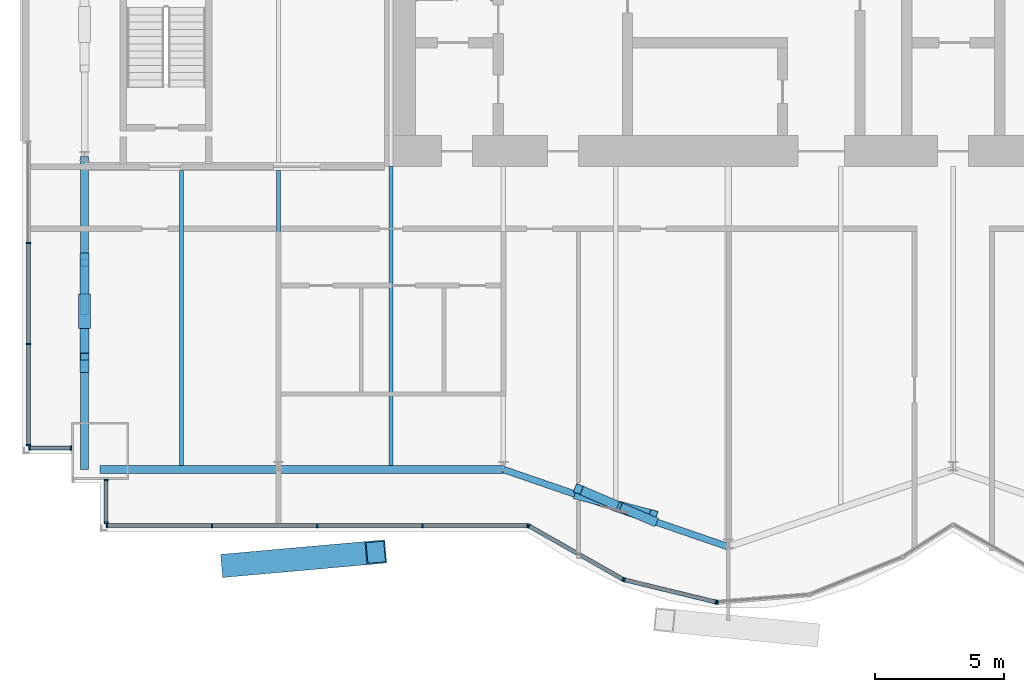
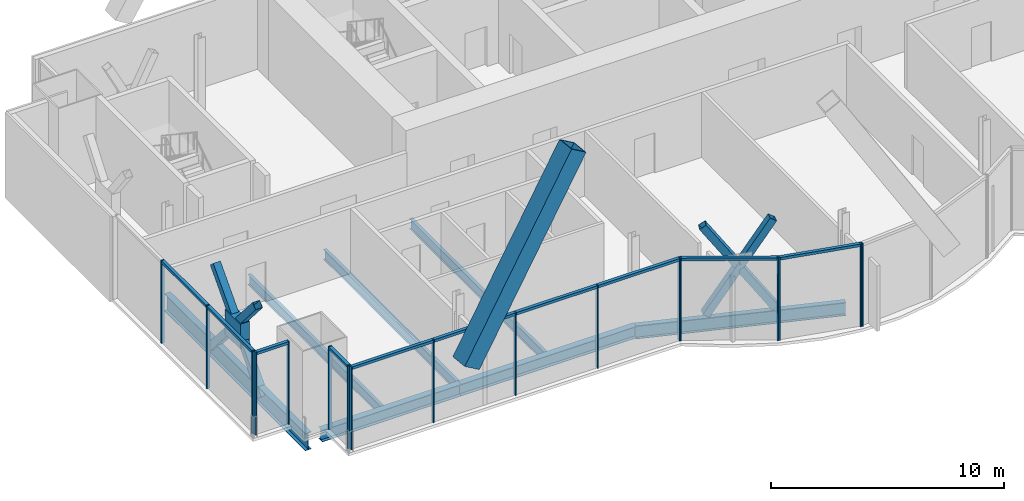
# One storey, part 5 of 19: 36 members, 7 beams, 5 elements without a shape of their own.
"""IFC4 building model written with IfcOpenShell, lengths in metres."""

from ifc_helpers import new_model, si_unit, direction, frame, origin, origin_2d, place, context, subcontext, project, spatial, rectangle, hollow_rectangle, i_section, extrude, material, material_profile, profile_set, type_object, element, aggregate, save


model = new_model("IFC4")

# Units and contexts
model_context = context("Model", 3, precision=1e-05, world=origin(), true_north=direction((0.0, 1.0)))
body_context = subcontext(model_context, "Body", "Model", "MODEL_VIEW")
ifc_project = project(units=[si_unit("LENGTHUNIT", "METRE"), si_unit("AREAUNIT", "SQUARE_METRE"), si_unit("VOLUMEUNIT", "CUBIC_METRE"), si_unit("PLANEANGLEUNIT", "RADIAN"), si_unit("MASSUNIT", "GRAM", prefix="KILO")], contexts=[model_context])

# Site, building, storey
site_placement = place(None, origin())
site = spatial("IfcSite", under=ifc_project, at=site_placement, CompositionType="ELEMENT")
building_placement = place(site_placement, origin())
building = spatial("IfcBuilding", under=site, at=building_placement, Name="Bicima Exchange Tower", CompositionType="ELEMENT")
storey_placement = place(building_placement, frame((0.0, 0.0, 297.5)))
storey = spatial("IfcBuildingStorey", under=building, at=storey_placement, Name="L67", CompositionType="ELEMENT", Elevation=297.5)

# Member
ifc_material_1 = material(Name="Steel ASTM A572 Gr 50", Category="steel")
ifc_material_profile_1 = material_profile(ifc_material_1, rectangle(XDim=0.45556640625, YDim=1.32666015625, at=origin_2d()))
ifc_profile_set_1 = profile_set([ifc_material_profile_1], Name="Steel ASTM A572 Gr 50")
member_type_1 = type_object("IfcMemberType", Name="Brace crossing node 456 x 1327", PredefinedType="POST", material=ifc_profile_set_1)
member_1_placement = place(storey_placement, frame((-33.60009765625, -18.596923828125, 0.99072265625), z_axis=(0.0, 0.0, 1.0), x_axis=(1.0, 0.0, 0.0)))
element("IfcMember", 1, at=member_1_placement, inside=storey, type_object=member_type_1, Name="Brace crossing node block", PredefinedType="POST", context=body_context, shape_type="SweptSolid", body=[
    extrude(rectangle(XDim=0.45556640625, YDim=1.32666015625, at=origin_2d()), origin(), (0.0, 0.0, 1.0), 1.306640625),
])

# Curtain wall, members
ifc_material_2 = material(Name="Anodised bronze aluminium", Category="aluminium")
curtain_wall_type_1 = type_object("IfcCurtainWallType", Name="End face glass wall", PredefinedType="NOTDEFINED", material=ifc_material_2)
curtain_wall_1_placement = place(storey_placement, origin())
curtain_wall_1 = element("IfcCurtainWall", 2, at=curtain_wall_1_placement, inside=storey, type_object=curtain_wall_type_1, Name="End face glass wall L67 run 2", PredefinedType="NOTDEFINED")
ifc_material_profile_2 = material_profile(ifc_material_2, rectangle(XDim=0.159912109375, YDim=0.06005859375, at=origin_2d()))
ifc_profile_set_2 = profile_set([ifc_material_profile_2], Name="Anodised bronze aluminium")
member_type_2 = type_object("IfcMemberType", Name="End face glass wall mullion 60 x 160", PredefinedType="MULLION", material=ifc_profile_set_2)
member_2_placement = place(storey_placement, frame((-35.77001953125, -15.9453125, 0.0), z_axis=(0.0, 0.0, 1.0), x_axis=(1.0, 0.0, 0.0)))
member_2 = element("IfcMember", 3, at=member_2_placement, type_object=member_type_2, Name="End face glass wall mullion 2", PredefinedType="MULLION", context=body_context, shape_type="SweptSolid", body=[
    extrude(rectangle(XDim=0.159912109375, YDim=0.06005859375, at=origin_2d()), origin(), (0.0, 0.0, 1.0), 4.35009765625),
])
member_3_placement = place(storey_placement, frame((-35.77001953125, -19.860595703125, 0.0), z_axis=(0.0, 0.0, 1.0), x_axis=(1.0, 0.0, 0.0)))
member_3 = element("IfcMember", 4, at=member_3_placement, type_object=member_type_2, Name="End face glass wall mullion 3", PredefinedType="MULLION", context=body_context, shape_type="SweptSolid", body=[
    extrude(rectangle(XDim=0.159912109375, YDim=0.06005859375, at=origin_2d()), origin(), (0.0, 0.0, 1.0), 4.35009765625),
])
member_4_placement = place(storey_placement, frame((-35.77001953125, -23.77587890625, 0.0), z_axis=(0.0, 0.0, 1.0), x_axis=(1.0, 0.0, 0.0)))
member_4 = element("IfcMember", 5, at=member_4_placement, type_object=member_type_2, Name="End face glass wall mullion 4", PredefinedType="MULLION", context=body_context, shape_type="SweptSolid", body=[
    extrude(rectangle(XDim=0.159912109375, YDim=0.06005859375, at=origin_2d()), origin(), (0.0, 0.0, 1.0), 4.35009765625),
])
ifc_material_profile_3 = material_profile(ifc_material_2, rectangle(XDim=0.159912109375, YDim=0.139892578125, at=origin_2d()))
ifc_profile_set_3 = profile_set([ifc_material_profile_3], Name="Anodised bronze aluminium")
member_type_3 = type_object("IfcMemberType", Name="End face glass wall transom 140 x 160", PredefinedType="USERDEFINED", material=ifc_profile_set_3)
member_5_placement = place(storey_placement, frame((-35.77001953125, -15.975341796875, 4.280029296875), z_axis=(0.0, -1.0, 0.0), x_axis=(1.0, 0.0, 0.0)))
member_5 = element("IfcMember", 6, at=member_5_placement, type_object=member_type_3, Name="End face glass wall transom 2.1", ObjectType="TRANSOM", PredefinedType="USERDEFINED", context=body_context, shape_type="SweptSolid", body=[
    extrude(rectangle(XDim=0.159912109375, YDim=0.139892578125, at=origin_2d()), origin(), (0.0, 0.0, 1.0), 3.85546875),
])
member_6_placement = place(storey_placement, frame((-35.77001953125, -19.890625, 4.280029296875), z_axis=(0.0, -1.0, 0.0), x_axis=(1.0, 0.0, 0.0)))
member_6 = element("IfcMember", 7, at=member_6_placement, type_object=member_type_3, Name="End face glass wall transom 3.1", ObjectType="TRANSOM", PredefinedType="USERDEFINED", context=body_context, shape_type="SweptSolid", body=[
    extrude(rectangle(XDim=0.159912109375, YDim=0.139892578125, at=origin_2d()), origin(), (0.0, 0.0, 1.0), 3.85546875),
])
aggregate(curtain_wall_1, [member_2, member_3, member_4, member_5, member_6])

# Beam
ifc_material_3 = material(Name="Steel ASTM A992 Gr 50", Category="steel")
ifc_material_profile_4 = material_profile(ifc_material_3, i_section(OverallWidth=0.3046875, OverallDepth=0.911865234375, WebThickness=0.015869140625, FlangeThickness=0.02392578125, at=origin_2d()))
ifc_profile_set_4 = profile_set([ifc_material_profile_4], Name="Steel ASTM A992 Gr 50")
beam_type_1 = type_object("IfcBeamType", Name="End girder W36x150", PredefinedType="BEAM", material=ifc_profile_set_4)
beam_1_placement = place(storey_placement, frame((-33.60009765625, -12.60009765625, -0.60595703125), z_axis=(0.0, -1.0, 0.0), x_axis=(1.0, 0.0, 0.0)))
element("IfcBeam", 8, at=beam_1_placement, inside=storey, type_object=beam_type_1, Name="End girder", PredefinedType="BEAM", context=body_context, shape_type="SweptSolid", body=[
    extrude(i_section(OverallWidth=0.3046875, OverallDepth=0.911865234375, WebThickness=0.015869140625, FlangeThickness=0.02392578125, at=origin_2d()), origin(), (0.0, 0.0, 1.0), 12.115966796875),
])

# Member
ifc_material_profile_5 = material_profile(ifc_material_1, hollow_rectangle(XDim=0.89990234375, YDim=0.89990234375, WallThickness=0.050048828125, at=origin_2d()))
ifc_profile_set_5 = profile_set([ifc_material_profile_5], Name="Steel ASTM A572 Gr 50")
member_type_4 = type_object("IfcMemberType", Name="Exo mega brace BOX 900x900x50", PredefinedType="BRACE", material=ifc_profile_set_5)
member_7_placement = place(storey_placement, frame((-27.916748046875, -28.4130859375, 3.74169921875), z_axis=(0.520686487189, 0.046217471316, 0.852496057119), x_axis=(-0.088414952813, 0.996083729472, 0.0)))
element("IfcMember", 9, at=member_7_placement, inside=storey, type_object=member_type_4, Name="Exo mega brace front", PredefinedType="BRACE", context=body_context, shape_type="SweptSolid", body=[
    extrude(hollow_rectangle(XDim=0.89990234375, YDim=0.89990234375, WallThickness=0.050048828125, at=origin_2d()), origin(), (0.0, 0.0, 1.0), 10.723388671875),
])

# Beams
ifc_material_profile_6 = material_profile(ifc_material_3, i_section(OverallWidth=0.165771484375, OverallDepth=0.5283203125, WebThickness=0.009765625, FlangeThickness=0.013671875, at=origin_2d()))
ifc_profile_set_6 = profile_set([ifc_material_profile_6], Name="Steel ASTM A992 Gr 50")
beam_type_2 = type_object("IfcBeamType", Name="Floor beam W21x50", PredefinedType="JOIST", material=ifc_profile_set_6)
for number, where, z_axis, x_axis, name in (
    (10, (-29.85009765625, -13.15234375, -0.414306640625), (0.0, -1.0, 0.0), (1.0, 0.0, 0.0), "Floor beam"),
    (11, (-26.10009765625, -13.15234375, -0.414306640625), (0.0, -1.0, 0.0), (1.0, 0.0, 0.0), "Floor beam"),
):
    element("IfcBeam", number, at=place(storey_placement, frame(where, z_axis=z_axis, x_axis=x_axis)), inside=storey, type_object=beam_type_2, Name=name, PredefinedType="JOIST", context=body_context, shape_type="SweptSolid", body=[
        extrude(i_section(OverallWidth=0.165771484375, OverallDepth=0.5283203125, WebThickness=0.009765625, FlangeThickness=0.013671875, at=origin_2d()), origin(), (0.0, 0.0, 1.0), 11.401123046875),
    ])
beam_2_placement = place(storey_placement, frame((-21.75, -13.0, -0.414306640625), z_axis=(0.0, -1.0, 0.0), x_axis=(1.0, 0.0, 0.0)))
element("IfcBeam", 12, at=beam_2_placement, inside=storey, type_object=beam_type_2, Name="Floor beam", PredefinedType="JOIST", context=body_context, shape_type="SweptSolid", body=[
    extrude(i_section(OverallWidth=0.165771484375, OverallDepth=0.5283203125, WebThickness=0.009765625, FlangeThickness=0.013671875, at=origin_2d()), origin(), (0.0, 0.0, 1.0), 11.553466796875),
])
ifc_material_profile_7 = material_profile(ifc_material_3, i_section(OverallWidth=0.3251953125, OverallDepth=0.612060546875, WebThickness=0.0126953125, FlangeThickness=0.01904296875, at=origin_2d()))
ifc_profile_set_7 = profile_set([ifc_material_profile_7], Name="Steel ASTM A992 Gr 50")
beam_type_3 = type_object("IfcBeamType", Name="Front girder W24x104", PredefinedType="BEAM", material=ifc_profile_set_7)
beam_3_placement = place(storey_placement, frame((-33.0, -24.716064453125, -0.4560546875), z_axis=(1.0, 0.0, 0.0), x_axis=(0.0, 1.0, 0.0)))
element("IfcBeam", 13, at=beam_3_placement, inside=storey, type_object=beam_type_3, Name="Front girder", PredefinedType="BEAM", context=body_context, shape_type="SweptSolid", body=[
    extrude(i_section(OverallWidth=0.3251953125, OverallDepth=0.612060546875, WebThickness=0.0126953125, FlangeThickness=0.01904296875, at=origin_2d()), origin(), (0.0, 0.0, 1.0), 6.89990234375),
])
beam_4_placement = place(storey_placement, frame((-26.10009765625, -24.716064453125, -0.4560546875), z_axis=(1.0, 0.0, 0.0), x_axis=(0.0, 1.0, 0.0)))
element("IfcBeam", 14, at=beam_4_placement, inside=storey, type_object=beam_type_3, Name="Front girder", PredefinedType="BEAM", context=body_context, shape_type="SweptSolid", body=[
    extrude(i_section(OverallWidth=0.3251953125, OverallDepth=0.612060546875, WebThickness=0.0126953125, FlangeThickness=0.01904296875, at=origin_2d()), origin(), (0.0, 0.0, 1.0), 8.7001953125),
])
ifc_material_profile_8 = material_profile(ifc_material_3, i_section(OverallWidth=0.256591796875, OverallDepth=0.693359375, WebThickness=0.014404296875, FlangeThickness=0.023681640625, at=origin_2d()))
ifc_profile_set_8 = profile_set([ifc_material_profile_8], Name="Steel ASTM A992 Gr 50")
beam_type_4 = type_object("IfcBeamType", Name="Front girder W27x114", PredefinedType="BEAM", material=ifc_profile_set_8)
beam_5_placement = place(storey_placement, frame((-17.39990234375, -24.716064453125, -0.49658203125), z_axis=(0.945674616091, -0.32511462668, 0.0), x_axis=(0.32511462668, 0.945674616091, 0.0)))
element("IfcBeam", 15, at=beam_5_placement, inside=storey, type_object=beam_type_4, Name="Front girder", PredefinedType="BEAM", context=body_context, shape_type="SweptSolid", body=[
    extrude(i_section(OverallWidth=0.256591796875, OverallDepth=0.693359375, WebThickness=0.014404296875, FlangeThickness=0.023681640625, at=origin_2d()), origin(), (0.0, 0.0, 1.0), 9.19970703125),
])

# Curtain wall, members
curtain_wall_type_2 = type_object("IfcCurtainWallType", Name="Front glass wall", PredefinedType="NOTDEFINED", material=ifc_material_2)
curtain_wall_2_placement = place(storey_placement, origin())
curtain_wall_2 = element("IfcCurtainWall", 16, at=curtain_wall_2_placement, inside=storey, type_object=curtain_wall_type_2, Name="Front glass wall L67 run 3", PredefinedType="NOTDEFINED")
member_type_5 = type_object("IfcMemberType", Name="Front glass wall mullion 60 x 160", PredefinedType="MULLION", material=ifc_profile_set_2)
member_8_placement = place(storey_placement, frame((-35.739990234375, -23.885986328125, 0.0), z_axis=(0.0, 0.0, 1.0), x_axis=(0.0, 1.0, 0.0)))
member_8 = element("IfcMember", 17, at=member_8_placement, type_object=member_type_5, Name="Front glass wall mullion 1", PredefinedType="MULLION", context=body_context, shape_type="SweptSolid", body=[
    extrude(rectangle(XDim=0.159912109375, YDim=0.06005859375, at=origin_2d()), origin(), (0.0, 0.0, 1.0), 4.35009765625),
])
member_9_placement = place(storey_placement, frame((-34.1298828125, -23.885986328125, 0.0), z_axis=(0.0, 0.0, 1.0), x_axis=(0.0, 1.0, 0.0)))
member_9 = element("IfcMember", 18, at=member_9_placement, type_object=member_type_5, Name="Front glass wall mullion 2", PredefinedType="MULLION", context=body_context, shape_type="SweptSolid", body=[
    extrude(rectangle(XDim=0.159912109375, YDim=0.06005859375, at=origin_2d()), origin(), (0.0, 0.0, 1.0), 4.35009765625),
])

curtain_wall_3_placement = place(storey_placement, origin())
curtain_wall_3 = element("IfcCurtainWall", 19, at=curtain_wall_3_placement, inside=storey, type_object=curtain_wall_type_2, Name="Front glass wall L67 run 4", PredefinedType="NOTDEFINED")
member_10_placement = place(storey_placement, frame((-32.77001953125, -25.1240234375, 0.0), z_axis=(0.0, 0.0, 1.0), x_axis=(1.0, 0.0, 0.0)))
member_10 = element("IfcMember", 20, at=member_10_placement, type_object=member_type_5, Name="Front glass wall mullion 1", PredefinedType="MULLION", context=body_context, shape_type="SweptSolid", body=[
    extrude(rectangle(XDim=0.159912109375, YDim=0.06005859375, at=origin_2d()), origin(), (0.0, 0.0, 1.0), 4.35009765625),
])
member_11_placement = place(storey_placement, frame((-32.77001953125, -26.77587890625, 0.0), z_axis=(0.0, 0.0, 1.0), x_axis=(1.0, 0.0, 0.0)))
member_11 = element("IfcMember", 21, at=member_11_placement, type_object=member_type_5, Name="Front glass wall mullion 2", PredefinedType="MULLION", context=body_context, shape_type="SweptSolid", body=[
    extrude(rectangle(XDim=0.159912109375, YDim=0.06005859375, at=origin_2d()), origin(), (0.0, 0.0, 1.0), 4.35009765625),
])

curtain_wall_4_placement = place(storey_placement, origin())
curtain_wall_4 = element("IfcCurtainWall", 22, at=curtain_wall_4_placement, inside=storey, type_object=curtain_wall_type_2, Name="Front glass wall L67 run 5", PredefinedType="NOTDEFINED")
member_12_placement = place(storey_placement, frame((-32.739990234375, -26.885986328125, 0.0), z_axis=(0.0, 0.0, 1.0), x_axis=(0.0, 1.0, 0.0)))
member_12 = element("IfcMember", 23, at=member_12_placement, type_object=member_type_5, Name="Front glass wall mullion 1", PredefinedType="MULLION", context=body_context, shape_type="SweptSolid", body=[
    extrude(rectangle(XDim=0.159912109375, YDim=0.06005859375, at=origin_2d()), origin(), (0.0, 0.0, 1.0), 4.35009765625),
])
member_13_placement = place(storey_placement, frame((-28.67041015625, -26.885986328125, 0.0), z_axis=(0.0, 0.0, 1.0), x_axis=(0.0, 1.0, 0.0)))
member_13 = element("IfcMember", 24, at=member_13_placement, type_object=member_type_5, Name="Front glass wall mullion 2", PredefinedType="MULLION", context=body_context, shape_type="SweptSolid", body=[
    extrude(rectangle(XDim=0.159912109375, YDim=0.06005859375, at=origin_2d()), origin(), (0.0, 0.0, 1.0), 4.35009765625),
])
member_14_placement = place(storey_placement, frame((-24.60107421875, -26.885986328125, 0.0), z_axis=(0.0, 0.0, 1.0), x_axis=(0.0, 1.0, 0.0)))
member_14 = element("IfcMember", 25, at=member_14_placement, type_object=member_type_5, Name="Front glass wall mullion 3", PredefinedType="MULLION", context=body_context, shape_type="SweptSolid", body=[
    extrude(rectangle(XDim=0.159912109375, YDim=0.06005859375, at=origin_2d()), origin(), (0.0, 0.0, 1.0), 4.35009765625),
])
member_15_placement = place(storey_placement, frame((-20.531494140625, -26.885986328125, 0.0), z_axis=(0.0, 0.0, 1.0), x_axis=(0.0, 1.0, 0.0)))
member_15 = element("IfcMember", 26, at=member_15_placement, type_object=member_type_5, Name="Front glass wall mullion 4", PredefinedType="MULLION", context=body_context, shape_type="SweptSolid", body=[
    extrude(rectangle(XDim=0.159912109375, YDim=0.06005859375, at=origin_2d()), origin(), (0.0, 0.0, 1.0), 4.35009765625),
])
member_16_placement = place(storey_placement, frame((-16.462158203125, -26.885986328125, 0.0), z_axis=(0.0, 0.0, 1.0), x_axis=(0.0, 1.0, 0.0)))
member_16 = element("IfcMember", 27, at=member_16_placement, type_object=member_type_5, Name="Front glass wall mullion 5", PredefinedType="MULLION", context=body_context, shape_type="SweptSolid", body=[
    extrude(rectangle(XDim=0.159912109375, YDim=0.06005859375, at=origin_2d()), origin(), (0.0, 0.0, 1.0), 4.35009765625),
])

curtain_wall_5_placement = place(storey_placement, origin())
curtain_wall_5 = element("IfcCurtainWall", 28, at=curtain_wall_5_placement, inside=storey, type_object=curtain_wall_type_2, Name="Front glass wall L67 run 6", PredefinedType="NOTDEFINED")
member_17_placement = place(storey_placement, frame((-16.406005859375, -26.90087890625, 0.0), z_axis=(0.0, 0.0, 1.0), x_axis=(0.493395449343, 0.869805110681, 0.0)))
member_17 = element("IfcMember", 29, at=member_17_placement, type_object=member_type_5, Name="Front glass wall mullion 1", PredefinedType="MULLION", context=body_context, shape_type="SweptSolid", body=[
    extrude(rectangle(XDim=0.159912109375, YDim=0.06005859375, at=origin_2d()), origin(), (0.0, 0.0, 1.0), 4.35009765625),
])
member_18_placement = place(storey_placement, frame((-12.7734375, -28.96142578125, 0.0), z_axis=(0.0, 0.0, 1.0), x_axis=(0.493395449343, 0.869805110681, 0.0)))
member_18 = element("IfcMember", 30, at=member_18_placement, type_object=member_type_5, Name="Front glass wall mullion 2", PredefinedType="MULLION", context=body_context, shape_type="SweptSolid", body=[
    extrude(rectangle(XDim=0.159912109375, YDim=0.06005859375, at=origin_2d()), origin(), (0.0, 0.0, 1.0), 4.35009765625),
])
member_19_placement = place(storey_placement, frame((-12.718017578125, -28.9833984375, 0.0), z_axis=(0.0, 0.0, 1.0), x_axis=(0.235681529503, 0.971830343553, 0.0)))
member_19 = element("IfcMember", 31, at=member_19_placement, type_object=member_type_5, Name="Front glass wall mullion 1", PredefinedType="MULLION", context=body_context, shape_type="SweptSolid", body=[
    extrude(rectangle(XDim=0.159912109375, YDim=0.06005859375, at=origin_2d()), origin(), (0.0, 0.0, 1.0), 4.35009765625),
])
member_20_placement = place(storey_placement, frame((-9.177490234375, -29.841796875, 0.0), z_axis=(0.0, 0.0, 1.0), x_axis=(0.235681529503, 0.971830343553, 0.0)))
member_20 = element("IfcMember", 32, at=member_20_placement, type_object=member_type_5, Name="Front glass wall mullion 2", PredefinedType="MULLION", context=body_context, shape_type="SweptSolid", body=[
    extrude(rectangle(XDim=0.159912109375, YDim=0.06005859375, at=origin_2d()), origin(), (0.0, 0.0, 1.0), 4.35009765625),
])
member_21_placement = place(storey_placement, frame((-9.118408203125, -29.8466796875, 0.0), z_axis=(0.0, 0.0, 1.0), x_axis=(-0.080588612633, 0.99674744821, 0.0)))
member_21 = element("IfcMember", 33, at=member_21_placement, type_object=member_type_5, Name="Front glass wall mullion 1", PredefinedType="MULLION", context=body_context, shape_type="SweptSolid", body=[
    extrude(rectangle(XDim=0.159912109375, YDim=0.06005859375, at=origin_2d()), origin(), (0.0, 0.0, 1.0), 4.35009765625),
])

# Member
member_type_6 = type_object("IfcMemberType", Name="Front glass wall transom 140 x 160", PredefinedType="USERDEFINED", material=ifc_profile_set_3)
member_22_placement = place(storey_placement, frame((-35.7099609375, -23.885986328125, 4.280029296875), z_axis=(1.0, 0.0, 0.0), x_axis=(0.0, 1.0, 0.0)))
member_22 = element("IfcMember", 34, at=member_22_placement, type_object=member_type_6, Name="Front glass wall transom 1.1", ObjectType="TRANSOM", PredefinedType="USERDEFINED", context=body_context, shape_type="SweptSolid", body=[
    extrude(rectangle(XDim=0.159912109375, YDim=0.139892578125, at=origin_2d()), origin(), (0.0, 0.0, 1.0), 1.550048828125),
])

aggregate(curtain_wall_2, [member_8, member_9, member_22])

member_23_placement = place(storey_placement, frame((-32.77001953125, -25.154052734375, 4.280029296875), z_axis=(0.0, -1.0, 0.0), x_axis=(1.0, 0.0, 0.0)))
member_23 = element("IfcMember", 35, at=member_23_placement, type_object=member_type_6, Name="Front glass wall transom 1.1", ObjectType="TRANSOM", PredefinedType="USERDEFINED", context=body_context, shape_type="SweptSolid", body=[
    extrude(rectangle(XDim=0.159912109375, YDim=0.139892578125, at=origin_2d()), origin(), (0.0, 0.0, 1.0), 1.592041015625),
])

aggregate(curtain_wall_3, [member_10, member_11, member_23])

member_24_placement = place(storey_placement, frame((-32.7099609375, -26.885986328125, 4.280029296875), z_axis=(1.0, 0.0, 0.0), x_axis=(0.0, 1.0, 0.0)))
member_24 = element("IfcMember", 36, at=member_24_placement, type_object=member_type_6, Name="Front glass wall transom 1.1", ObjectType="TRANSOM", PredefinedType="USERDEFINED", context=body_context, shape_type="SweptSolid", body=[
    extrude(rectangle(XDim=0.159912109375, YDim=0.139892578125, at=origin_2d()), origin(), (0.0, 0.0, 1.0), 4.009521484375),
])

member_25_placement = place(storey_placement, frame((-28.640380859375, -26.885986328125, 4.280029296875), z_axis=(1.0, 0.0, 0.0), x_axis=(0.0, 1.0, 0.0)))
member_25 = element("IfcMember", 37, at=member_25_placement, type_object=member_type_6, Name="Front glass wall transom 2.1", ObjectType="TRANSOM", PredefinedType="USERDEFINED", context=body_context, shape_type="SweptSolid", body=[
    extrude(rectangle(XDim=0.159912109375, YDim=0.139892578125, at=origin_2d()), origin(), (0.0, 0.0, 1.0), 4.00927734375),
])

member_26_placement = place(storey_placement, frame((-24.571044921875, -26.885986328125, 4.280029296875), z_axis=(1.0, 0.0, 0.0), x_axis=(0.0, 1.0, 0.0)))
member_26 = element("IfcMember", 38, at=member_26_placement, type_object=member_type_6, Name="Front glass wall transom 3.1", ObjectType="TRANSOM", PredefinedType="USERDEFINED", context=body_context, shape_type="SweptSolid", body=[
    extrude(rectangle(XDim=0.159912109375, YDim=0.139892578125, at=origin_2d()), origin(), (0.0, 0.0, 1.0), 4.009521484375),
])

member_27_placement = place(storey_placement, frame((-20.501708984375, -26.885986328125, 4.280029296875), z_axis=(1.0, 0.0, 0.0), x_axis=(0.0, 1.0, 0.0)))
member_27 = element("IfcMember", 39, at=member_27_placement, type_object=member_type_6, Name="Front glass wall transom 4.1", ObjectType="TRANSOM", PredefinedType="USERDEFINED", context=body_context, shape_type="SweptSolid", body=[
    extrude(rectangle(XDim=0.159912109375, YDim=0.139892578125, at=origin_2d()), origin(), (0.0, 0.0, 1.0), 4.009521484375),
])

aggregate(curtain_wall_4, [member_12, member_13, member_14, member_15, member_16, member_24, member_25, member_26, member_27])

member_28_placement = place(storey_placement, frame((-16.3798828125, -26.91552734375, 4.280029296875), z_axis=(0.869797371721, -0.49340909208, 0.0), x_axis=(0.49340909208, 0.869797371721, 0.0)))
member_28 = element("IfcMember", 40, at=member_28_placement, type_object=member_type_6, Name="Front glass wall transom 1.1", ObjectType="TRANSOM", PredefinedType="USERDEFINED", context=body_context, shape_type="SweptSolid", body=[
    extrude(rectangle(XDim=0.159912109375, YDim=0.139892578125, at=origin_2d()), origin(), (0.0, 0.0, 1.0), 4.1162109375),
])

member_29_placement = place(storey_placement, frame((-12.68896484375, -28.990234375, 4.280029296875), z_axis=(0.971817951661, -0.235732621477, 0.0), x_axis=(0.235732621477, 0.971817951661, 0.0)))
member_29 = element("IfcMember", 41, at=member_29_placement, type_object=member_type_6, Name="Front glass wall transom 1.1", ObjectType="TRANSOM", PredefinedType="USERDEFINED", context=body_context, shape_type="SweptSolid", body=[
    extrude(rectangle(XDim=0.159912109375, YDim=0.139892578125, at=origin_2d()), origin(), (0.0, 0.0, 1.0), 3.58349609375),
])

aggregate(curtain_wall_5, [member_17, member_18, member_28, member_19, member_20, member_29, member_21])

# Members
ifc_material_profile_9 = material_profile(ifc_material_1, hollow_rectangle(XDim=0.355712890625, YDim=0.355712890625, WallThickness=0.01171875, at=origin_2d()))
ifc_profile_set_9 = profile_set([ifc_material_profile_9], Name="Steel ASTM A572 Gr 50")
member_type_7 = type_object("IfcMemberType", Name="Mega brace HSS14x14x1/2", PredefinedType="BRACE", material=ifc_profile_set_9)
member_30_placement = place(storey_placement, frame((-14.5, -25.712890625, 0.0), z_axis=(0.536405780448, -0.139317379414, 0.832381827346), x_axis=(0.251383493766, 0.9678875653, 0.0)))
element("IfcMember", 42, at=member_30_placement, inside=storey, type_object=member_type_7, Name="Mega brace front", PredefinedType="BRACE", context=body_context, shape_type="SweptSolid", body=[
    extrude(hollow_rectangle(XDim=0.355712890625, YDim=0.355712890625, WallThickness=0.01171875, at=origin_2d()), origin(), (0.0, 0.0, 1.0), 5.40625),
])
member_31_placement = place(storey_placement, frame((-11.60009765625, -26.7099609375, 0.0), z_axis=(-0.527642047398, 0.225841528616, 0.818895276437), x_axis=(-0.393491239857, -0.919328365795, 0.0)))
element("IfcMember", 43, at=member_31_placement, inside=storey, type_object=member_type_7, Name="Mega brace front", PredefinedType="BRACE", context=body_context, shape_type="SweptSolid", body=[
    extrude(hollow_rectangle(XDim=0.355712890625, YDim=0.355712890625, WallThickness=0.01171875, at=origin_2d()), origin(), (0.0, 0.0, 1.0), 2.638671875),
])
member_32_placement = place(storey_placement, frame((-13.107421875, -26.06494140625, 2.339111328125), z_axis=(-0.527708804436, 0.225830503441, 0.81885529945), x_axis=(-0.393432933682, -0.919353319837, 0.0)))
element("IfcMember", 44, at=member_32_placement, inside=storey, type_object=member_type_7, Name="Mega brace front", PredefinedType="BRACE", context=body_context, shape_type="SweptSolid", body=[
    extrude(hollow_rectangle(XDim=0.355712890625, YDim=0.355712890625, WallThickness=0.01171875, at=origin_2d()), origin(), (0.0, 0.0, 1.0), 2.638916015625),
])
for number, where, z_axis, x_axis, name in (
    (45, (-33.60009765625, -16.47607421875, -0.60595703125), (0.0, -0.652610580339, 0.757693493723), (1.0, 0.0, 0.0), "Mega brace west end"),
    (46, (-33.60009765625, -18.6083984375, 1.86962890625), (0.0, -0.652610580339, 0.757693493723), (1.0, 0.0, 0.0), "Mega brace west end"),
):
    element("IfcMember", number, at=place(storey_placement, frame(where, z_axis=z_axis, x_axis=x_axis)), inside=storey, type_object=member_type_7, Name=name, PredefinedType="BRACE", context=body_context, shape_type="SweptSolid", body=[
        extrude(hollow_rectangle(XDim=0.355712890625, YDim=0.355712890625, WallThickness=0.01171875, at=origin_2d()), origin(), (0.0, 0.0, 1.0), 2.671875),
    ])
member_33_placement = place(storey_placement, frame((-33.60009765625, -20.840087890625, -0.60595703125), z_axis=(0.0, 0.675246592205, 0.737592055079), x_axis=(-1.0, 0.0, 0.0)))
element("IfcMember", 47, at=member_33_placement, inside=storey, type_object=member_type_7, Name="Mega brace west end", PredefinedType="BRACE", context=body_context, shape_type="SweptSolid", body=[
    extrude(hollow_rectangle(XDim=0.355712890625, YDim=0.355712890625, WallThickness=0.01171875, at=origin_2d()), origin(), (0.0, 0.0, 1.0), 2.7529296875),
])
member_34_placement = place(storey_placement, frame((-33.60009765625, -18.578857421875, 1.86376953125), z_axis=(0.0, 0.675290763961, 0.737551614539), x_axis=(-1.0, 0.0, 0.0)))
element("IfcMember", 48, at=member_34_placement, inside=storey, type_object=member_type_7, Name="Mega brace west end", PredefinedType="BRACE", context=body_context, shape_type="SweptSolid", body=[
    extrude(hollow_rectangle(XDim=0.355712890625, YDim=0.355712890625, WallThickness=0.01171875, at=origin_2d()), origin(), (0.0, 0.0, 1.0), 2.752685546875),
])

save(model, "model.ifc")
